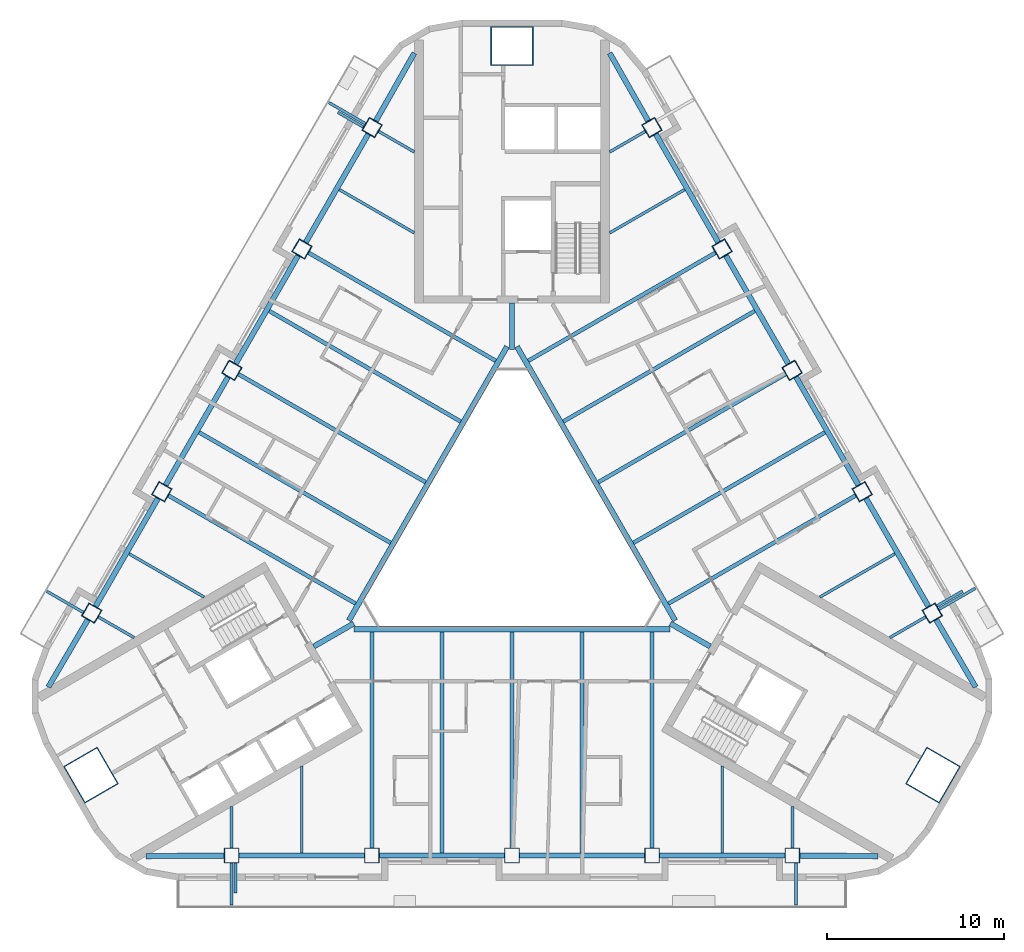
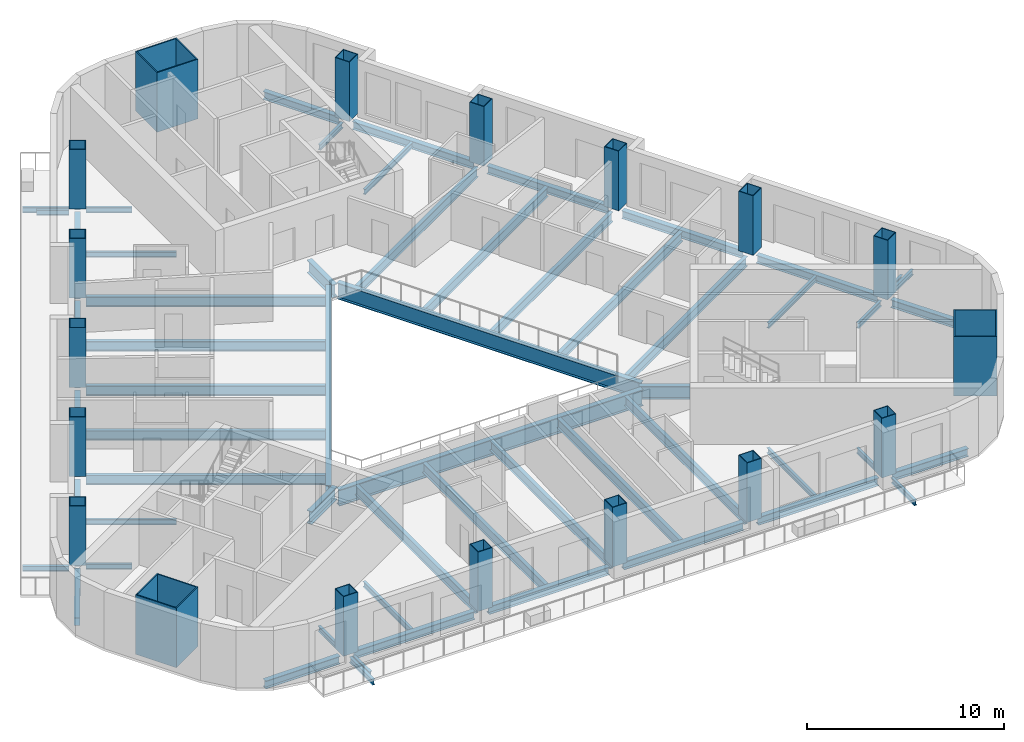
# One storey, part 1 of 14: 59 beams, 18 columns.
"""IFC4 building model written with IfcOpenShell, lengths in metres."""

from ifc_helpers import new_model, si_unit, direction, frame, origin, origin_2d, place, context, subcontext, project, spatial, rectangle, hollow_rectangle, i_section, extrude, material, material_profile, profile_set, type_object, element, save


model = new_model("IFC4")

# Units and contexts
model_context = context("Model", 3, precision=1e-05, world=origin(), true_north=direction((0.0, 1.0)))
body_context = subcontext(model_context, "Body", "Model", "MODEL_VIEW")
ifc_project = project(units=[si_unit("LENGTHUNIT", "METRE"), si_unit("AREAUNIT", "SQUARE_METRE"), si_unit("VOLUMEUNIT", "CUBIC_METRE"), si_unit("PLANEANGLEUNIT", "RADIAN"), si_unit("MASSUNIT", "GRAM", prefix="KILO")], contexts=[model_context])

# Site, building, storey
site_placement = place(None, origin())
site = spatial("IfcSite", under=ifc_project, at=site_placement, CompositionType="ELEMENT")
building_placement = place(site_placement, origin())
building = spatial("IfcBuilding", under=site, at=building_placement, Name="Apuvela Tower Hotel", CompositionType="ELEMENT")
storey_placement = place(building_placement, frame((0.0, 0.0, 157.699951171875)))
storey = spatial("IfcBuildingStorey", under=building, at=storey_placement, Name="L37", CompositionType="ELEMENT", Elevation=157.699951171875)

# Columns
ifc_material_1 = material(Name="Steel S460", Category="steel")
ifc_material_profile_1 = material_profile(ifc_material_1, hollow_rectangle(XDim=2.39990234375, YDim=2.199951171875, WallThickness=0.06005859375, at=origin_2d()), Name="BOX 2400x2200x60")
ifc_material_2 = material(Name="Concrete C80/95", Category="concrete")
ifc_material_profile_2 = material_profile(ifc_material_2, rectangle(XDim=2.280029296875, YDim=2.080078125, at=origin_2d()), Name="Concrete C80/95 infill")
ifc_profile_set_1 = profile_set([ifc_material_profile_1, ifc_material_profile_2], Name="Steel S460")
column_type_1 = type_object("IfcColumnType", Name="STR-MC mega column BOX 2400x2200x60", PredefinedType="COLUMN", material=ifc_profile_set_1)
for number, where, z_axis, x_axis, name in (
    (1, (0.0, 27.39990234375, 0.0), (0.0, 0.0, 1.0), (1.0, 0.0, 0.0), "Mega column MC3 N"),
    (2, (-23.72900390625, -13.699951171875, 0.0), (0.0, 0.0, 1.0), (-0.5, 0.866025403784, 0.0), "Mega column MC3 SW"),
    (3, (23.72900390625, -13.699951171875, 0.0), (0.0, 0.0, 1.0), (0.5, 0.866025403784, 0.0), "Mega column MC3 SE"),
):
    element("IfcColumn", number, at=place(storey_placement, frame(where, z_axis=z_axis, x_axis=x_axis)), inside=storey, type_object=column_type_1, Name=name, PredefinedType="COLUMN", context=body_context, shape_type="SweptSolid", body=[
        extrude(hollow_rectangle(XDim=2.39990234375, YDim=2.199951171875, WallThickness=0.06005859375, at=origin_2d()), origin(), (0.0, 0.0, 1.0), 3.699951171875),
    ])
ifc_material_profile_3 = material_profile(ifc_material_1, hollow_rectangle(XDim=0.85009765625, YDim=0.85009765625, WallThickness=0.0400390625, at=origin_2d()), Name="BOX 850x850x40")
ifc_material_profile_4 = material_profile(ifc_material_2, rectangle(XDim=0.77001953125, YDim=0.77001953125, at=origin_2d()), Name="Concrete C80/95 infill")
ifc_profile_set_2 = profile_set([ifc_material_profile_3, ifc_material_profile_4], Name="Steel S460")
column_type_2 = type_object("IfcColumnType", Name="STR-PC perimeter column BOX 850x850x40", PredefinedType="COLUMN", material=ifc_profile_set_2)
for number, where, z_axis, x_axis, name in (
    (4, (-15.800048828125, -18.22998046875, 0.0), (0.0, 0.0, 1.0), (-1.0, 0.0, 0.0), "Perimeter column C4 S1"),
    (5, (-7.89990234375, -18.22998046875, 0.0), (0.0, 0.0, 1.0), (-1.0, 0.0, 0.0), "Perimeter column C4 S2"),
    (6, (0.0, -18.22998046875, 0.0), (0.0, 0.0, 1.0), (-1.0, 0.0, 0.0), "Perimeter column C4 S3"),
    (7, (7.89990234375, -18.22998046875, 0.0), (0.0, 0.0, 1.0), (-1.0, 0.0, 0.0), "Perimeter column C4 S4"),
    (8, (15.800048828125, -18.22998046875, 0.0), (0.0, 0.0, 1.0), (-1.0, 0.0, 0.0), "Perimeter column C4 S5"),
    (9, (23.6875, -4.568115234375, 0.0), (0.0, 0.0, 1.0), (-0.5, 0.866025403784, 0.0), "Perimeter column C4 NE1"),
    (10, (19.737548828125, 2.2734375, 0.0), (0.0, 0.0, 1.0), (-0.5, 0.866025403784, 0.0), "Perimeter column C4 NE2"),
    (11, (15.78759765625, 9.114990234375, 0.0), (0.0, 0.0, 1.0), (-0.5, 0.866025403784, 0.0), "Perimeter column C4 NE3"),
    (12, (11.837646484375, 15.95654296875, 0.0), (0.0, 0.0, 1.0), (-0.5, 0.866025403784, 0.0), "Perimeter column C4 NE4"),
    (13, (7.8876953125, 22.798095703125, 0.0), (0.0, 0.0, 1.0), (-0.5, 0.866025403784, 0.0), "Perimeter column C4 NE5"),
    (14, (-7.8876953125, 22.798095703125, 0.0), (0.0, 0.0, 1.0), (0.5, 0.866025403784, 0.0), "Perimeter column C4 NW1"),
    (15, (-11.837646484375, 15.95654296875, 0.0), (0.0, 0.0, 1.0), (0.5, 0.866025403784, 0.0), "Perimeter column C4 NW2"),
    (16, (-15.78759765625, 9.114990234375, 0.0), (0.0, 0.0, 1.0), (0.5, 0.866025403784, 0.0), "Perimeter column C4 NW3"),
    (17, (-19.737548828125, 2.2734375, 0.0), (0.0, 0.0, 1.0), (0.5, 0.866025403784, 0.0), "Perimeter column C4 NW4"),
    (18, (-23.6875, -4.568115234375, 0.0), (0.0, 0.0, 1.0), (0.5, 0.866025403784, 0.0), "Perimeter column C4 NW5"),
):
    element("IfcColumn", number, at=place(storey_placement, frame(where, z_axis=z_axis, x_axis=x_axis)), inside=storey, type_object=column_type_2, Name=name, PredefinedType="COLUMN", context=body_context, shape_type="SweptSolid", body=[
        extrude(hollow_rectangle(XDim=0.85009765625, YDim=0.85009765625, WallThickness=0.0400390625, at=origin_2d()), origin(), (0.0, 0.0, 1.0), 3.699951171875),
    ])

# Beams
ifc_material_3 = material(Name="Steel S355", Category="steel")
ifc_material_profile_5 = material_profile(ifc_material_3, i_section(OverallWidth=0.159912109375, OverallDepth=0.330078125, WebThickness=0.007568359375, FlangeThickness=0.011474609375, at=origin_2d()), Name="IPE 330")
ifc_profile_set_3 = profile_set([ifc_material_profile_5], Name="Steel S355")
beam_type_1 = type_object("IfcBeamType", Name="ENV-BALCONY-BEAM-IPE330", PredefinedType="BEAM", material=ifc_profile_set_3)
beam_1_placement = place(storey_placement, frame((-15.800048828125, -18.655029296875, -0.31494140625), z_axis=(0.0, -1.0, 0.0), x_axis=(1.0, 0.0, 0.0)))
element("IfcBeam", 19, at=beam_1_placement, inside=storey, type_object=beam_type_1, Name="Balcony cantilever beam S1 L37", PredefinedType="BEAM", context=body_context, shape_type="SweptSolid", body=[
    extrude(i_section(OverallWidth=0.159912109375, OverallDepth=0.330078125, WebThickness=0.007568359375, FlangeThickness=0.011474609375, at=origin_2d()), origin(), (0.0, 0.0, 1.0), 2.375),
])
beam_2_placement = place(storey_placement, frame((-15.580078125, -18.655029296875, -0.31494140625), z_axis=(0.0, -1.0, 0.0), x_axis=(1.0, 0.0, 0.0)))
element("IfcBeam", 20, at=beam_2_placement, inside=storey, type_object=beam_type_1, Name="Balcony cantilever beam S2 L37", PredefinedType="BEAM", context=body_context, shape_type="SweptSolid", body=[
    extrude(i_section(OverallWidth=0.159912109375, OverallDepth=0.330078125, WebThickness=0.007568359375, FlangeThickness=0.011474609375, at=origin_2d()), origin(), (0.0, 0.0, 1.0), 1.675048828125),
])
for number, where, z_axis, x_axis, name in (
    (21, (16.0, -18.655029296875, -0.31494140625), (0.0, -1.0, 0.0), (1.0, 0.0, 0.0), "Balcony cantilever beam S3 L37"),
    (22, (24.0556640625, -4.355712890625, -0.31494140625), (0.866033238375, 0.499986429846, 0.0), (-0.499986429846, 0.866033238375, 0.0), "Balcony cantilever beam NE1 L37"),
):
    element("IfcBeam", number, at=place(storey_placement, frame(where, z_axis=z_axis, x_axis=x_axis)), inside=storey, type_object=beam_type_1, Name=name, PredefinedType="BEAM", context=body_context, shape_type="SweptSolid", body=[
        extrude(i_section(OverallWidth=0.159912109375, OverallDepth=0.330078125, WebThickness=0.007568359375, FlangeThickness=0.011474609375, at=origin_2d()), origin(), (0.0, 0.0, 1.0), 2.375),
    ])
beam_3_placement = place(storey_placement, frame((23.94580078125, -4.165283203125, -0.31494140625), z_axis=(0.865964676353, 0.500105168249, 0.0), x_axis=(-0.500105168249, 0.865964676353, 0.0)))
element("IfcBeam", 23, at=beam_3_placement, inside=storey, type_object=beam_type_1, Name="Balcony cantilever beam NE2 L37", PredefinedType="BEAM", context=body_context, shape_type="SweptSolid", body=[
    extrude(i_section(OverallWidth=0.159912109375, OverallDepth=0.330078125, WebThickness=0.007568359375, FlangeThickness=0.011474609375, at=origin_2d()), origin(), (0.0, 0.0, 1.0), 1.675048828125),
])
beam_4_placement = place(storey_placement, frame((-8.255615234375, 23.0107421875, -0.31494140625), z_axis=(-0.866033238375, 0.499986429846, 0.0), x_axis=(-0.499986429846, -0.866033238375, 0.0)))
element("IfcBeam", 24, at=beam_4_placement, inside=storey, type_object=beam_type_1, Name="Balcony cantilever beam NW1 L37", PredefinedType="BEAM", context=body_context, shape_type="SweptSolid", body=[
    extrude(i_section(OverallWidth=0.159912109375, OverallDepth=0.330078125, WebThickness=0.007568359375, FlangeThickness=0.011474609375, at=origin_2d()), origin(), (0.0, 0.0, 1.0), 2.375),
])
beam_5_placement = place(storey_placement, frame((-8.36572265625, 22.8203125, -0.31494140625), z_axis=(-0.866064234506, 0.499932737185, 0.0), x_axis=(-0.499932737185, -0.866064234506, 0.0)))
element("IfcBeam", 25, at=beam_5_placement, inside=storey, type_object=beam_type_1, Name="Balcony cantilever beam NW2 L37", PredefinedType="BEAM", context=body_context, shape_type="SweptSolid", body=[
    extrude(i_section(OverallWidth=0.159912109375, OverallDepth=0.330078125, WebThickness=0.007568359375, FlangeThickness=0.011474609375, at=origin_2d()), origin(), (0.0, 0.0, 1.0), 1.675048828125),
])
beam_6_placement = place(storey_placement, frame((-24.15576171875, -4.52880859375, -0.31494140625), z_axis=(-0.866007538022, 0.500030943131, 0.0), x_axis=(-0.500030943131, -0.866007538022, 0.0)))
element("IfcBeam", 26, at=beam_6_placement, inside=storey, type_object=beam_type_1, Name="Balcony cantilever beam NW3 L37", PredefinedType="BEAM", context=body_context, shape_type="SweptSolid", body=[
    extrude(i_section(OverallWidth=0.159912109375, OverallDepth=0.330078125, WebThickness=0.007568359375, FlangeThickness=0.011474609375, at=origin_2d()), origin(), (0.0, 0.0, 1.0), 2.374755859375),
])
ifc_material_profile_6 = material_profile(ifc_material_3, i_section(OverallWidth=0.159912109375, OverallDepth=0.330078125, WebThickness=0.007568359375, FlangeThickness=0.011474609375, at=origin_2d()), Name="IPE 330")
ifc_profile_set_4 = profile_set([ifc_material_profile_6], Name="Steel S355")
beam_type_2 = type_object("IfcBeamType", Name="STR-B floor beam IPE 330", PredefinedType="BEAM", material=ifc_profile_set_4)
beam_7_placement = place(storey_placement, frame((23.319580078125, -4.78076171875, -0.31494140625), z_axis=(-0.866018215049, -0.500012451049, 0.0), x_axis=(0.500012451049, -0.866018215049, 0.0)))
element("IfcBeam", 27, at=beam_7_placement, inside=storey, type_object=beam_type_2, Name="Floor beam B1 NE1", PredefinedType="BEAM", context=body_context, shape_type="SweptSolid", body=[
    extrude(i_section(OverallWidth=0.159912109375, OverallDepth=0.330078125, WebThickness=0.007568359375, FlangeThickness=0.011474609375, at=origin_2d()), origin(), (0.0, 0.0, 1.0), 2.33203125),
])
for number, where, z_axis, x_axis, name in (
    (28, (21.582763671875, -1.222412109375, -0.31494140625), (-0.866015056278, -0.500017921979, 0.0), (0.500017921979, -0.866015056278, 0.0), "Floor beam B1 NE2"),
    (29, (9.732666015625, 19.302490234375, -0.31494140625), (-0.866015056278, -0.500017921979, 0.0), (0.500017921979, -0.866015056278, 0.0), "Floor beam B1 NE8"),
):
    element("IfcBeam", number, at=place(storey_placement, frame(where, z_axis=z_axis, x_axis=x_axis)), inside=storey, type_object=beam_type_2, Name=name, PredefinedType="BEAM", context=body_context, shape_type="SweptSolid", body=[
        extrude(i_section(OverallWidth=0.159912109375, OverallDepth=0.330078125, WebThickness=0.007568359375, FlangeThickness=0.011474609375, at=origin_2d()), origin(), (0.0, 0.0, 1.0), 4.887451171875),
    ])
for number, where, z_axis, x_axis, name in (
    (30, (7.51953125, 22.585693359375, -0.31494140625), (-0.866018215049, -0.500012451049, 0.0), (0.500012451049, -0.866018215049, 0.0), "Floor beam B1 NE9"),
    (31, (-7.51953125, 22.585693359375, -0.31494140625), (0.866018215049, -0.500012451049, 0.0), (0.500012451049, 0.866018215049, 0.0), "Floor beam B1 NW1"),
):
    element("IfcBeam", number, at=place(storey_placement, frame(where, z_axis=z_axis, x_axis=x_axis)), inside=storey, type_object=beam_type_2, Name=name, PredefinedType="BEAM", context=body_context, shape_type="SweptSolid", body=[
        extrude(i_section(OverallWidth=0.159912109375, OverallDepth=0.330078125, WebThickness=0.007568359375, FlangeThickness=0.011474609375, at=origin_2d()), origin(), (0.0, 0.0, 1.0), 2.33203125),
    ])
for number, where, z_axis, x_axis, name in (
    (32, (-9.732666015625, 19.302490234375, -0.31494140625), (0.866015056278, -0.500017921979, 0.0), (0.500017921979, 0.866015056278, 0.0), "Floor beam B1 NW2"),
    (33, (-21.582763671875, -1.222412109375, -0.31494140625), (0.866015056278, -0.500017921979, 0.0), (0.500017921979, 0.866015056278, 0.0), "Floor beam B1 NW8"),
):
    element("IfcBeam", number, at=place(storey_placement, frame(where, z_axis=z_axis, x_axis=x_axis)), inside=storey, type_object=beam_type_2, Name=name, PredefinedType="BEAM", context=body_context, shape_type="SweptSolid", body=[
        extrude(i_section(OverallWidth=0.159912109375, OverallDepth=0.330078125, WebThickness=0.007568359375, FlangeThickness=0.011474609375, at=origin_2d()), origin(), (0.0, 0.0, 1.0), 4.887451171875),
    ])
for number, where, z_axis, x_axis, name in (
    (34, (-23.319580078125, -4.78076171875, -0.31494140625), (0.866018215049, -0.500012451049, 0.0), (0.500012451049, 0.866018215049, 0.0), "Floor beam B1 NW9"),
    (35, (-15.800048828125, -17.804931640625, -0.31494140625), (0.0, 1.0, 0.0), (-1.0, 0.0, 0.0), "Floor beam B1 S1"),
):
    element("IfcBeam", number, at=place(storey_placement, frame(where, z_axis=z_axis, x_axis=x_axis)), inside=storey, type_object=beam_type_2, Name=name, PredefinedType="BEAM", context=body_context, shape_type="SweptSolid", body=[
        extrude(i_section(OverallWidth=0.159912109375, OverallDepth=0.330078125, WebThickness=0.007568359375, FlangeThickness=0.011474609375, at=origin_2d()), origin(), (0.0, 0.0, 1.0), 2.33203125),
    ])
for number, where, z_axis, x_axis, name in (
    (36, (-11.85009765625, -18.080078125, -0.31494140625), (0.0, 1.0, 0.0), (-1.0, 0.0, 0.0), "Floor beam B1 S2"),
    (37, (11.85009765625, -18.080078125, -0.31494140625), (0.0, 1.0, 0.0), (-1.0, 0.0, 0.0), "Floor beam B1 S8"),
):
    element("IfcBeam", number, at=place(storey_placement, frame(where, z_axis=z_axis, x_axis=x_axis)), inside=storey, type_object=beam_type_2, Name=name, PredefinedType="BEAM", context=body_context, shape_type="SweptSolid", body=[
        extrude(i_section(OverallWidth=0.159912109375, OverallDepth=0.330078125, WebThickness=0.007568359375, FlangeThickness=0.011474609375, at=origin_2d()), origin(), (0.0, 0.0, 1.0), 4.8876953125),
    ])
beam_8_placement = place(storey_placement, frame((15.800048828125, -17.804931640625, -0.31494140625), z_axis=(0.0, 1.0, 0.0), x_axis=(-1.0, 0.0, 0.0)))
element("IfcBeam", 38, at=beam_8_placement, inside=storey, type_object=beam_type_2, Name="Floor beam B1 S9", PredefinedType="BEAM", context=body_context, shape_type="SweptSolid", body=[
    extrude(i_section(OverallWidth=0.159912109375, OverallDepth=0.330078125, WebThickness=0.007568359375, FlangeThickness=0.011474609375, at=origin_2d()), origin(), (0.0, 0.0, 1.0), 2.33203125),
])
ifc_material_profile_7 = material_profile(ifc_material_3, i_section(OverallWidth=0.219970703125, OverallDepth=0.60009765625, WebThickness=0.011962890625, FlangeThickness=0.01904296875, at=origin_2d()), Name="IPE 600")
ifc_profile_set_5 = profile_set([ifc_material_profile_7], Name="Steel S355")
beam_type_3 = type_object("IfcBeamType", Name="STR-B floor beam IPE 600", PredefinedType="BEAM", material=ifc_profile_set_5)
beam_9_placement = place(storey_placement, frame((19.36962890625, 2.060791015625, -0.449951171875), z_axis=(-0.866032437209, -0.499987817553, 0.0), x_axis=(0.499987817553, -0.866032437209, 0.0)))
element("IfcBeam", 39, at=beam_9_placement, inside=storey, type_object=beam_type_3, Name="Floor beam B8 NE3", PredefinedType="BEAM", context=body_context, shape_type="SweptSolid", body=[
    extrude(i_section(OverallWidth=0.219970703125, OverallDepth=0.60009765625, WebThickness=0.011962890625, FlangeThickness=0.01904296875, at=origin_2d()), origin(), (0.0, 0.0, 1.0), 12.184814453125),
])
beam_10_placement = place(storey_placement, frame((17.6328125, 5.619140625, -0.449951171875), z_axis=(-0.866027987673, -0.499995524547, 0.0), x_axis=(0.499995524547, -0.866027987673, 0.0)))
element("IfcBeam", 40, at=beam_10_placement, inside=storey, type_object=beam_type_3, Name="Floor beam B8 NE4", PredefinedType="BEAM", context=body_context, shape_type="SweptSolid", body=[
    extrude(i_section(OverallWidth=0.219970703125, OverallDepth=0.60009765625, WebThickness=0.011962890625, FlangeThickness=0.01904296875, at=origin_2d()), origin(), (0.0, 0.0, 1.0), 12.4599609375),
])
beam_11_placement = place(storey_placement, frame((15.419677734375, 8.902587890625, -0.449951171875), z_axis=(-0.8660237613, -0.500002844856, 0.0), x_axis=(0.500002844856, -0.8660237613, 0.0)))
element("IfcBeam", 41, at=beam_11_placement, inside=storey, type_object=beam_type_3, Name="Floor beam B8 NE5", PredefinedType="BEAM", context=body_context, shape_type="SweptSolid", body=[
    extrude(i_section(OverallWidth=0.219970703125, OverallDepth=0.60009765625, WebThickness=0.011962890625, FlangeThickness=0.01904296875, at=origin_2d()), origin(), (0.0, 0.0, 1.0), 12.18505859375),
])
beam_12_placement = place(storey_placement, frame((13.6826171875, 12.460693359375, -0.449951171875), z_axis=(-0.866023089177, -0.500004008996, 0.0), x_axis=(0.500004008996, -0.866023089177, 0.0)))
element("IfcBeam", 42, at=beam_12_placement, inside=storey, type_object=beam_type_3, Name="Floor beam B8 NE6", PredefinedType="BEAM", context=body_context, shape_type="SweptSolid", body=[
    extrude(i_section(OverallWidth=0.219970703125, OverallDepth=0.60009765625, WebThickness=0.011962890625, FlangeThickness=0.01904296875, at=origin_2d()), origin(), (0.0, 0.0, 1.0), 12.4599609375),
])
for number, where, z_axis, x_axis, name in (
    (43, (11.469482421875, 15.744140625, -0.449951171875), (-0.8660237613, -0.500002844856, 0.0), (0.500002844856, -0.8660237613, 0.0), "Floor beam B8 NE7"),
    (44, (-11.469482421875, 15.744140625, -0.449951171875), (0.8660237613, -0.500002844856, 0.0), (0.500002844856, 0.8660237613, 0.0), "Floor beam B8 NW3"),
):
    element("IfcBeam", number, at=place(storey_placement, frame(where, z_axis=z_axis, x_axis=x_axis)), inside=storey, type_object=beam_type_3, Name=name, PredefinedType="BEAM", context=body_context, shape_type="SweptSolid", body=[
        extrude(i_section(OverallWidth=0.219970703125, OverallDepth=0.60009765625, WebThickness=0.011962890625, FlangeThickness=0.01904296875, at=origin_2d()), origin(), (0.0, 0.0, 1.0), 12.18505859375),
    ])
beam_13_placement = place(storey_placement, frame((-13.6826171875, 12.460693359375, -0.449951171875), z_axis=(0.866023089177, -0.500004008996, 0.0), x_axis=(0.500004008996, 0.866023089177, 0.0)))
element("IfcBeam", 45, at=beam_13_placement, inside=storey, type_object=beam_type_3, Name="Floor beam B8 NW4", PredefinedType="BEAM", context=body_context, shape_type="SweptSolid", body=[
    extrude(i_section(OverallWidth=0.219970703125, OverallDepth=0.60009765625, WebThickness=0.011962890625, FlangeThickness=0.01904296875, at=origin_2d()), origin(), (0.0, 0.0, 1.0), 12.4599609375),
])
beam_14_placement = place(storey_placement, frame((-15.419677734375, 8.902587890625, -0.449951171875), z_axis=(0.8660237613, -0.500002844856, 0.0), x_axis=(0.500002844856, 0.8660237613, 0.0)))
element("IfcBeam", 46, at=beam_14_placement, inside=storey, type_object=beam_type_3, Name="Floor beam B8 NW5", PredefinedType="BEAM", context=body_context, shape_type="SweptSolid", body=[
    extrude(i_section(OverallWidth=0.219970703125, OverallDepth=0.60009765625, WebThickness=0.011962890625, FlangeThickness=0.01904296875, at=origin_2d()), origin(), (0.0, 0.0, 1.0), 12.18505859375),
])
beam_15_placement = place(storey_placement, frame((-17.6328125, 5.619140625, -0.449951171875), z_axis=(0.866027987673, -0.499995524547, 0.0), x_axis=(0.499995524547, 0.866027987673, 0.0)))
element("IfcBeam", 47, at=beam_15_placement, inside=storey, type_object=beam_type_3, Name="Floor beam B8 NW6", PredefinedType="BEAM", context=body_context, shape_type="SweptSolid", body=[
    extrude(i_section(OverallWidth=0.219970703125, OverallDepth=0.60009765625, WebThickness=0.011962890625, FlangeThickness=0.01904296875, at=origin_2d()), origin(), (0.0, 0.0, 1.0), 12.4599609375),
])
for number, where, z_axis, x_axis, name in (
    (48, (-19.36962890625, 2.060791015625, -0.449951171875), (0.866032437209, -0.499987817553, 0.0), (0.499987817553, 0.866032437209, 0.0), "Floor beam B8 NW7"),
    (49, (-7.89990234375, -17.804931640625, -0.449951171875), (0.0, 1.0, 0.0), (-1.0, 0.0, 0.0), "Floor beam B8 S3"),
):
    element("IfcBeam", number, at=place(storey_placement, frame(where, z_axis=z_axis, x_axis=x_axis)), inside=storey, type_object=beam_type_3, Name=name, PredefinedType="BEAM", context=body_context, shape_type="SweptSolid", body=[
        extrude(i_section(OverallWidth=0.219970703125, OverallDepth=0.60009765625, WebThickness=0.011962890625, FlangeThickness=0.01904296875, at=origin_2d()), origin(), (0.0, 0.0, 1.0), 12.184814453125),
    ])
beam_16_placement = place(storey_placement, frame((-3.949951171875, -18.080078125, -0.449951171875), z_axis=(0.0, 1.0, 0.0), x_axis=(-1.0, 0.0, 0.0)))
element("IfcBeam", 50, at=beam_16_placement, inside=storey, type_object=beam_type_3, Name="Floor beam B8 S4", PredefinedType="BEAM", context=body_context, shape_type="SweptSolid", body=[
    extrude(i_section(OverallWidth=0.219970703125, OverallDepth=0.60009765625, WebThickness=0.011962890625, FlangeThickness=0.01904296875, at=origin_2d()), origin(), (0.0, 0.0, 1.0), 12.4599609375),
])
beam_17_placement = place(storey_placement, frame((0.0, -17.804931640625, -0.449951171875), z_axis=(0.0, 1.0, 0.0), x_axis=(-1.0, 0.0, 0.0)))
element("IfcBeam", 51, at=beam_17_placement, inside=storey, type_object=beam_type_3, Name="Floor beam B8 S5", PredefinedType="BEAM", context=body_context, shape_type="SweptSolid", body=[
    extrude(i_section(OverallWidth=0.219970703125, OverallDepth=0.60009765625, WebThickness=0.011962890625, FlangeThickness=0.01904296875, at=origin_2d()), origin(), (0.0, 0.0, 1.0), 12.184814453125),
])
beam_18_placement = place(storey_placement, frame((3.949951171875, -18.080078125, -0.449951171875), z_axis=(0.0, 1.0, 0.0), x_axis=(-1.0, 0.0, 0.0)))
element("IfcBeam", 52, at=beam_18_placement, inside=storey, type_object=beam_type_3, Name="Floor beam B8 S6", PredefinedType="BEAM", context=body_context, shape_type="SweptSolid", body=[
    extrude(i_section(OverallWidth=0.219970703125, OverallDepth=0.60009765625, WebThickness=0.011962890625, FlangeThickness=0.01904296875, at=origin_2d()), origin(), (0.0, 0.0, 1.0), 12.4599609375),
])
beam_19_placement = place(storey_placement, frame((7.89990234375, -17.804931640625, -0.449951171875), z_axis=(0.0, 1.0, 0.0), x_axis=(-1.0, 0.0, 0.0)))
element("IfcBeam", 53, at=beam_19_placement, inside=storey, type_object=beam_type_3, Name="Floor beam B8 S7", PredefinedType="BEAM", context=body_context, shape_type="SweptSolid", body=[
    extrude(i_section(OverallWidth=0.219970703125, OverallDepth=0.60009765625, WebThickness=0.011962890625, FlangeThickness=0.01904296875, at=origin_2d()), origin(), (0.0, 0.0, 1.0), 12.184814453125),
])
ifc_material_profile_8 = material_profile(ifc_material_3, i_section(OverallWidth=0.300048828125, OverallDepth=1.0, WebThickness=0.01904296875, FlangeThickness=0.035888671875, at=origin_2d()), Name="HE 1000 B")
ifc_profile_set_6 = profile_set([ifc_material_profile_8], Name="Steel S355")
beam_type_4 = type_object("IfcBeamType", Name="STR-G atrium ring girder HE 1000 B", PredefinedType="BEAM", material=ifc_profile_set_6)
beam_20_placement = place(storey_placement, frame((-0.27978515625, 10.455078125, -0.64990234375), z_axis=(-0.500006541319, -0.866021627119, 0.0), x_axis=(0.866021627119, -0.500006541319, 0.0)))
element("IfcBeam", 54, at=beam_20_placement, inside=storey, type_object=beam_type_4, Name="Atrium ring girder G2 N-SW", PredefinedType="BEAM", context=body_context, shape_type="SweptSolid", body=[
    extrude(i_section(OverallWidth=0.300048828125, OverallDepth=1.0, WebThickness=0.01904296875, FlangeThickness=0.035888671875, at=origin_2d()), origin(), (0.0, 0.0, 1.0), 17.828857421875),
])
beam_21_placement = place(storey_placement, frame((-8.91455078125, -5.469970703125, -0.64990234375), z_axis=(1.0, 0.0, 0.0), x_axis=(0.0, 1.0, 0.0)))
element("IfcBeam", 55, at=beam_21_placement, inside=storey, type_object=beam_type_4, Name="Atrium ring girder G2 SW-SE", PredefinedType="BEAM", context=body_context, shape_type="SweptSolid", body=[
    extrude(i_section(OverallWidth=0.300048828125, OverallDepth=1.0, WebThickness=0.01904296875, FlangeThickness=0.035888671875, at=origin_2d()), origin(), (0.0, 0.0, 1.0), 17.8291015625),
])
beam_22_placement = place(storey_placement, frame((9.1943359375, -4.985107421875, -0.64990234375), z_axis=(-0.500006541319, 0.866021627119, 0.0), x_axis=(-0.866021627119, -0.500006541319, 0.0)))
element("IfcBeam", 56, at=beam_22_placement, inside=storey, type_object=beam_type_4, Name="Atrium ring girder G2 SE-N", PredefinedType="BEAM", context=body_context, shape_type="SweptSolid", body=[
    extrude(i_section(OverallWidth=0.300048828125, OverallDepth=1.0, WebThickness=0.01904296875, FlangeThickness=0.035888671875, at=origin_2d()), origin(), (0.0, 0.0, 1.0), 17.828857421875),
])
ifc_material_profile_9 = material_profile(ifc_material_3, i_section(OverallWidth=0.300048828125, OverallDepth=0.800048828125, WebThickness=0.017578125, FlangeThickness=0.032958984375, at=origin_2d()), Name="HE 800 B")
ifc_profile_set_7 = profile_set([ifc_material_profile_9], Name="Steel S355")
beam_type_5 = type_object("IfcBeamType", Name="STR-GT core tie beam HE 800 B", PredefinedType="BEAM", material=ifc_profile_set_7)
for number, where, z_axis, x_axis, name in (
    (57, (0.0, 12.89990234375, -0.550048828125), (0.0, -1.0, 0.0), (1.0, 0.0, 0.0), "Core tie beam GT1 N"),
    (58, (-11.171630859375, -6.449951171875, -0.550048828125), (0.865997922154, 0.500047596559, 0.0), (-0.500047596559, 0.865997922154, 0.0), "Core tie beam GT1 SW"),
    (59, (11.171630859375, -6.449951171875, -0.550048828125), (-0.865997922154, 0.500047596559, 0.0), (-0.500047596559, -0.865997922154, 0.0), "Core tie beam GT1 SE"),
):
    element("IfcBeam", number, at=place(storey_placement, frame(where, z_axis=z_axis, x_axis=x_axis)), inside=storey, type_object=beam_type_5, Name=name, PredefinedType="BEAM", context=body_context, shape_type="SweptSolid", body=[
        extrude(i_section(OverallWidth=0.300048828125, OverallDepth=0.800048828125, WebThickness=0.017578125, FlangeThickness=0.032958984375, at=origin_2d()), origin(), (0.0, 0.0, 1.0), 2.599853515625),
    ])
ifc_material_profile_10 = material_profile(ifc_material_3, i_section(OverallWidth=0.300048828125, OverallDepth=0.489990234375, WebThickness=0.011962890625, FlangeThickness=0.02294921875, at=origin_2d()), Name="HE 500 A")
ifc_profile_set_8 = profile_set([ifc_material_profile_10], Name="Steel S355")
beam_type_6 = type_object("IfcBeamType", Name="STR-SB spandrel beam HE 500 A", PredefinedType="SPANDREL", material=ifc_profile_set_8)
for number, where, z_axis, x_axis, name in (
    (60, (-15.375, -18.22998046875, -0.39501953125), (1.0, 0.0, 0.0), (0.0, 1.0, 0.0), "Spandrel beam SB3 S1"),
    (61, (-7.47509765625, -18.22998046875, -0.39501953125), (1.0, 0.0, 0.0), (0.0, 1.0, 0.0), "Spandrel beam SB3 S2"),
    (62, (0.425048828125, -18.22998046875, -0.39501953125), (1.0, 0.0, 0.0), (0.0, 1.0, 0.0), "Spandrel beam SB3 S3"),
    (63, (8.324951171875, -18.22998046875, -0.39501953125), (1.0, 0.0, 0.0), (0.0, 1.0, 0.0), "Spandrel beam SB3 S4"),
    (64, (23.47509765625, -4.2001953125, -0.39501953125), (-0.499990246421, 0.866031034943, 0.0), (-0.866031034943, -0.499990246421, 0.0), "Spandrel beam SB3 NE1"),
):
    element("IfcBeam", number, at=place(storey_placement, frame(where, z_axis=z_axis, x_axis=x_axis)), inside=storey, type_object=beam_type_6, Name=name, PredefinedType="SPANDREL", context=body_context, shape_type="SweptSolid", body=[
        extrude(i_section(OverallWidth=0.300048828125, OverallDepth=0.489990234375, WebThickness=0.011962890625, FlangeThickness=0.02294921875, at=origin_2d()), origin(), (0.0, 0.0, 1.0), 7.050048828125),
    ])
for number, where, z_axis, x_axis, name in (
    (65, (19.525146484375, 2.6416015625, -0.39501953125), (-0.500031214443, 0.866007381368, 0.0), (-0.866007381368, -0.500031214443, 0.0), "Spandrel beam SB3 NE2"),
    (66, (15.5751953125, 9.483154296875, -0.39501953125), (-0.500031214443, 0.866007381368, 0.0), (-0.866007381368, -0.500031214443, 0.0), "Spandrel beam SB3 NE3"),
):
    element("IfcBeam", number, at=place(storey_placement, frame(where, z_axis=z_axis, x_axis=x_axis)), inside=storey, type_object=beam_type_6, Name=name, PredefinedType="SPANDREL", context=body_context, shape_type="SweptSolid", body=[
        extrude(i_section(OverallWidth=0.300048828125, OverallDepth=0.489990234375, WebThickness=0.011962890625, FlangeThickness=0.02294921875, at=origin_2d()), origin(), (0.0, 0.0, 1.0), 7.0498046875),
    ])
for number, where, z_axis, x_axis, name in (
    (67, (11.625, 16.32470703125, -0.39501953125), (-0.499990246421, 0.866031034943, 0.0), (-0.866031034943, -0.499990246421, 0.0), "Spandrel beam SB3 NE4"),
    (68, (-8.10009765625, 22.43017578125, -0.39501953125), (-0.499990246421, -0.866031034943, 0.0), (0.866031034943, -0.499990246421, 0.0), "Spandrel beam SB3 NW1"),
):
    element("IfcBeam", number, at=place(storey_placement, frame(where, z_axis=z_axis, x_axis=x_axis)), inside=storey, type_object=beam_type_6, Name=name, PredefinedType="SPANDREL", context=body_context, shape_type="SweptSolid", body=[
        extrude(i_section(OverallWidth=0.300048828125, OverallDepth=0.489990234375, WebThickness=0.011962890625, FlangeThickness=0.02294921875, at=origin_2d()), origin(), (0.0, 0.0, 1.0), 7.050048828125),
    ])
for number, where, z_axis, x_axis, name in (
    (69, (-12.050048828125, 15.58837890625, -0.39501953125), (-0.500031214443, -0.866007381368, 0.0), (0.866007381368, -0.500031214443, 0.0), "Spandrel beam SB3 NW2"),
    (70, (-16.0, 8.746826171875, -0.39501953125), (-0.500031214443, -0.866007381368, 0.0), (0.866007381368, -0.500031214443, 0.0), "Spandrel beam SB3 NW3"),
):
    element("IfcBeam", number, at=place(storey_placement, frame(where, z_axis=z_axis, x_axis=x_axis)), inside=storey, type_object=beam_type_6, Name=name, PredefinedType="SPANDREL", context=body_context, shape_type="SweptSolid", body=[
        extrude(i_section(OverallWidth=0.300048828125, OverallDepth=0.489990234375, WebThickness=0.011962890625, FlangeThickness=0.02294921875, at=origin_2d()), origin(), (0.0, 0.0, 1.0), 7.0498046875),
    ])
beam_23_placement = place(storey_placement, frame((-19.9501953125, 1.9052734375, -0.39501953125), z_axis=(-0.499990246421, -0.866031034943, 0.0), x_axis=(0.866031034943, -0.499990246421, 0.0)))
element("IfcBeam", 71, at=beam_23_placement, inside=storey, type_object=beam_type_6, Name="Spandrel beam SB3 NW4", PredefinedType="SPANDREL", context=body_context, shape_type="SweptSolid", body=[
    extrude(i_section(OverallWidth=0.300048828125, OverallDepth=0.489990234375, WebThickness=0.011962890625, FlangeThickness=0.02294921875, at=origin_2d()), origin(), (0.0, 0.0, 1.0), 7.050048828125),
])
for number, where, z_axis, x_axis, name in (
    (72, (-16.22509765625, -18.23291015625, -0.39501953125), (-0.999976414172, -0.006868122043, 0.0), (0.006868122043, -0.999976414172, 0.0), "Spandrel beam SB3 S1-SW"),
    (73, (16.22509765625, -18.23291015625, -0.39501953125), (0.999976414172, -0.006868122043, 0.0), (0.006868122043, 0.999976414172, 0.0), "Spandrel beam SB3 S5-SE"),
):
    element("IfcBeam", number, at=place(storey_placement, frame(where, z_axis=z_axis, x_axis=x_axis)), inside=storey, type_object=beam_type_6, Name=name, PredefinedType="SPANDREL", context=body_context, shape_type="SweptSolid", body=[
        extrude(i_section(OverallWidth=0.300048828125, OverallDepth=0.489990234375, WebThickness=0.011962890625, FlangeThickness=0.02294921875, at=origin_2d()), origin(), (0.0, 0.0, 1.0), 4.40771484375),
    ])
beam_24_placement = place(storey_placement, frame((23.902587890625, -4.934814453125, -0.39501953125), z_axis=(0.505966812052, -0.86255294626, 0.0), x_axis=(0.86255294626, 0.505966812052, 0.0)))
element("IfcBeam", 74, at=beam_24_placement, inside=storey, type_object=beam_type_6, Name="Spandrel beam SB3 NE1-SE", PredefinedType="SPANDREL", context=body_context, shape_type="SweptSolid", body=[
    extrude(i_section(OverallWidth=0.300048828125, OverallDepth=0.489990234375, WebThickness=0.011962890625, FlangeThickness=0.02294921875, at=origin_2d()), origin(), (0.0, 0.0, 1.0), 4.407958984375),
])
for number, where, z_axis, x_axis, name in (
    (75, (7.677734375, 23.167724609375, -0.39501953125), (-0.494061745322, 0.869426817972, 0.0), (-0.869426817972, -0.494061745322, 0.0), "Spandrel beam SB3 NE5-N"),
    (76, (-7.677734375, 23.167724609375, -0.39501953125), (0.494061745322, 0.869426817972, 0.0), (-0.869426817972, 0.494061745322, 0.0), "Spandrel beam SB3 NW1-N"),
):
    element("IfcBeam", number, at=place(storey_placement, frame(where, z_axis=z_axis, x_axis=x_axis)), inside=storey, type_object=beam_type_6, Name=name, PredefinedType="SPANDREL", context=body_context, shape_type="SweptSolid", body=[
        extrude(i_section(OverallWidth=0.300048828125, OverallDepth=0.489990234375, WebThickness=0.011962890625, FlangeThickness=0.02294921875, at=origin_2d()), origin(), (0.0, 0.0, 1.0), 4.40771484375),
    ])
beam_25_placement = place(storey_placement, frame((-23.902587890625, -4.934814453125, -0.39501953125), z_axis=(-0.505966812052, -0.86255294626, 0.0), x_axis=(0.86255294626, -0.505966812052, 0.0)))
element("IfcBeam", 77, at=beam_25_placement, inside=storey, type_object=beam_type_6, Name="Spandrel beam SB3 NW5-SW", PredefinedType="SPANDREL", context=body_context, shape_type="SweptSolid", body=[
    extrude(i_section(OverallWidth=0.300048828125, OverallDepth=0.489990234375, WebThickness=0.011962890625, FlangeThickness=0.02294921875, at=origin_2d()), origin(), (0.0, 0.0, 1.0), 4.407958984375),
])

save(model, "model.ifc")
